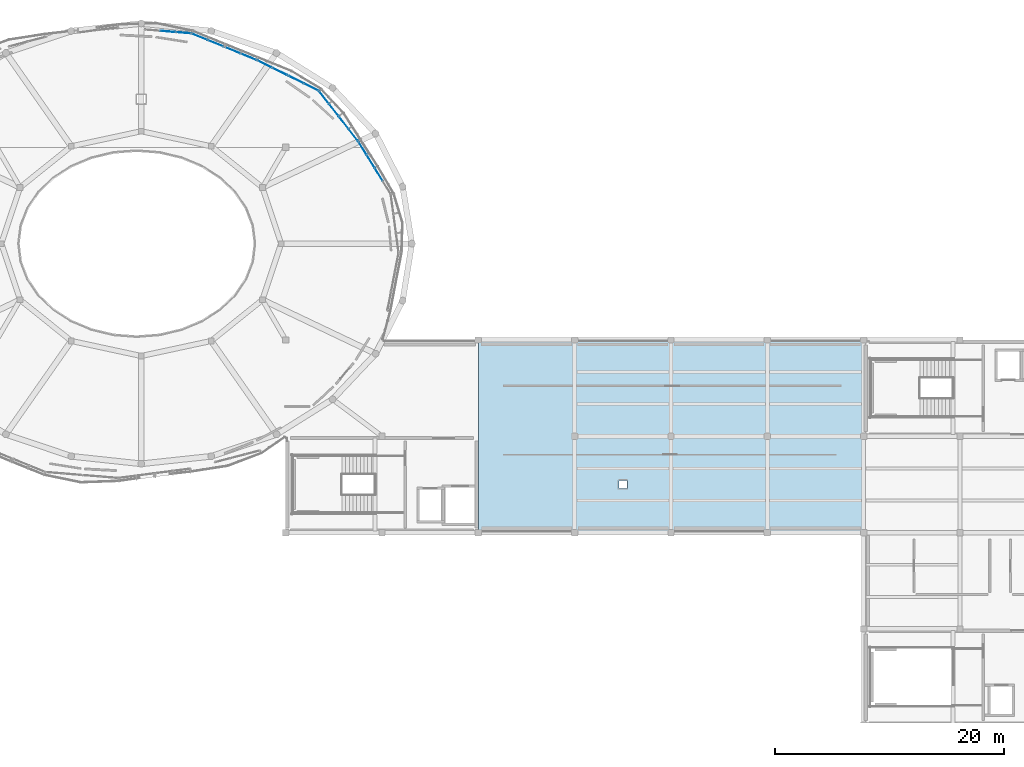
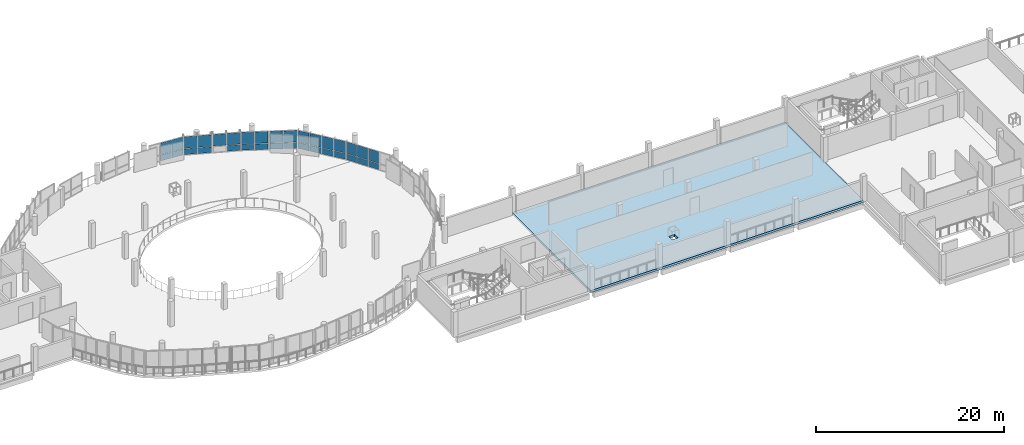
# One storey, part 29 of 43: 33 plates, 1 slab, 7 elements without a shape of their own.
"""IFC4 building model written with IfcOpenShell, lengths in metres."""

from ifc_helpers import new_model, si_unit, derived_unit, direction, frame, origin, origin_2d, place, context, subcontext, project, spatial, polyline, rectangle, outline, extrude, material, layer, layer_set, type_object, element, aggregate, save


model = new_model("IFC4")

# Units and contexts
model_context = context("Model", 3, precision=1e-05, world=origin(), true_north=direction((0.0, 1.0)))
body_context = subcontext(model_context, "Body", "Model", "MODEL_VIEW")
ifc_project = project(units=[si_unit("LENGTHUNIT", "METRE"), si_unit("AREAUNIT", "SQUARE_METRE"), si_unit("VOLUMEUNIT", "CUBIC_METRE"), si_unit("PLANEANGLEUNIT", "RADIAN"), si_unit("MASSUNIT", "GRAM", prefix="KILO"), derived_unit("THERMALTRANSMITTANCEUNIT", [(si_unit("POWERUNIT", "WATT"), 1), (si_unit("LENGTHUNIT", "METRE"), -2), (si_unit("THERMODYNAMICTEMPERATUREUNIT", "KELVIN"), -1)])], contexts=[model_context])

# Site, building, storey
site_placement = place(None, origin())
site = spatial("IfcSite", under=ifc_project, at=site_placement, CompositionType="ELEMENT")
building_placement = place(site_placement, origin())
building = spatial("IfcBuilding", under=site, at=building_placement, Name="Elbkamm Science Centre", CompositionType="ELEMENT")
storey_placement = place(building_placement, frame((0.0, 0.0, 18.300048828125)))
storey = spatial("IfcBuildingStorey", under=building, at=storey_placement, Name="L04", CompositionType="ELEMENT", Elevation=18.300048828125)

# Curtain wall, plates
ifc_material_1 = material(Name="Powder-coated aluminium and triple low-E glazing", Category="aluminium")
ifc_layer_1 = layer(ifc_material_1, 0.159912109375)
ifc_layer_set_1 = layer_set([ifc_layer_1], Name="Powder-coated aluminium and triple low-E glazing")
curtain_wall_type_1 = type_object("IfcCurtainWallType", Name="CW-UNIT-5360x2460", PredefinedType="USERDEFINED", material=ifc_layer_set_1)
curtain_wall_1_placement = place(storey_placement, origin())
curtain_wall_1 = element("IfcCurtainWall", 1, at=curtain_wall_1_placement, inside=storey, type_object=curtain_wall_type_1, Name="L04 Unitised Curtain Wall 076", ObjectType="UNITISED CURTAIN WALL", PredefinedType="USERDEFINED")
ifc_material_2 = material(Name="Triple solar-control insulated safety glass", Category="glass")
ifc_layer_2 = layer(ifc_material_2, 0.031982421875)
ifc_layer_set_2 = layer_set([ifc_layer_2], Name="Triple solar-control insulated safety glass")
plate_type = type_object("IfcPlateType", Name="CW-PNL-32", PredefinedType="CURTAIN_PANEL", material=ifc_layer_set_2)
plate_1_placement = place(storey_placement, frame((83.707275390625, 73.23828125, 0.06005859375), z_axis=(0.0, 0.0, 1.0), x_axis=(-0.524926723085, 0.85114742283, 0.0)))
plate_1 = element("IfcPlate", 2, at=plate_1_placement, type_object=plate_type, Name="CW-033 panel 2.1", PredefinedType="CURTAIN_PANEL", context=body_context, shape_type="SweptSolid", body=[
    extrude(rectangle(XDim=1.28173828125, YDim=0.031982421875, at=origin_2d()), origin(), (0.0, 0.0, 1.0), 0.760009765625),
])
plate_2_placement = place(storey_placement, frame((83.707275390625, 73.23828125, 0.8798828125), z_axis=(0.0, 0.0, 1.0), x_axis=(-0.524926723085, 0.85114742283, 0.0)))
plate_2 = element("IfcPlate", 3, at=plate_2_placement, type_object=plate_type, Name="CW-033 panel 2.2", PredefinedType="CURTAIN_PANEL", context=body_context, shape_type="SweptSolid", body=[
    extrude(rectangle(XDim=1.28173828125, YDim=0.031982421875, at=origin_2d()), origin(), (0.0, 0.0, 1.0), 1.510009765625),
])
plate_3_placement = place(storey_placement, frame((83.0029296875, 74.38037109375, 0.06005859375), z_axis=(0.0, 0.0, 1.0), x_axis=(-0.524926723085, 0.85114742283, 0.0)))
plate_3 = element("IfcPlate", 4, at=plate_3_placement, type_object=plate_type, Name="CW-033 panel 3.1", PredefinedType="CURTAIN_PANEL", context=body_context, shape_type="SweptSolid", body=[
    extrude(rectangle(XDim=1.28173828125, YDim=0.031982421875, at=origin_2d()), origin(), (0.0, 0.0, 1.0), 0.760009765625),
])
plate_4_placement = place(storey_placement, frame((83.0029296875, 74.38037109375, 0.8798828125), z_axis=(0.0, 0.0, 1.0), x_axis=(-0.524926723085, 0.85114742283, 0.0)))
plate_4 = element("IfcPlate", 5, at=plate_4_placement, type_object=plate_type, Name="CW-033 panel 3.2", PredefinedType="CURTAIN_PANEL", context=body_context, shape_type="SweptSolid", body=[
    extrude(rectangle(XDim=1.28173828125, YDim=0.031982421875, at=origin_2d()), origin(), (0.0, 0.0, 1.0), 1.510009765625),
])
plate_5_placement = place(storey_placement, frame((82.306396484375, 75.509521484375, 0.06005859375), z_axis=(0.0, 0.0, 1.0), x_axis=(-0.524926723085, 0.85114742283, 0.0)))
plate_5 = element("IfcPlate", 6, at=plate_5_placement, type_object=plate_type, Name="CW-033 panel 4.1", PredefinedType="CURTAIN_PANEL", context=body_context, shape_type="SweptSolid", body=[
    extrude(rectangle(XDim=1.251708984375, YDim=0.031982421875, at=origin_2d()), origin(), (0.0, 0.0, 1.0), 0.760009765625),
])
plate_6_placement = place(storey_placement, frame((82.306396484375, 75.509521484375, 0.8798828125), z_axis=(0.0, 0.0, 1.0), x_axis=(-0.524926723085, 0.85114742283, 0.0)))
plate_6 = element("IfcPlate", 7, at=plate_6_placement, type_object=plate_type, Name="CW-033 panel 4.2", PredefinedType="CURTAIN_PANEL", context=body_context, shape_type="SweptSolid", body=[
    extrude(rectangle(XDim=1.251708984375, YDim=0.031982421875, at=origin_2d()), origin(), (0.0, 0.0, 1.0), 1.510009765625),
])
aggregate(curtain_wall_1, [plate_1, plate_2, plate_3, plate_4, plate_5, plate_6])

ifc_layer_3 = layer(ifc_material_1, 0.159912109375)
ifc_layer_set_3 = layer_set([ifc_layer_3], Name="Powder-coated aluminium and triple low-E glazing")
curtain_wall_type_2 = type_object("IfcCurtainWallType", Name="CW-UNIT-5600x2460", PredefinedType="USERDEFINED", material=ifc_layer_set_3)
curtain_wall_2_placement = place(storey_placement, origin())
curtain_wall_2 = element("IfcCurtainWall", 8, at=curtain_wall_2_placement, inside=storey, type_object=curtain_wall_type_2, Name="L04 Unitised Curtain Wall 077", ObjectType="UNITISED CURTAIN WALL", PredefinedType="USERDEFINED")
plate_7_placement = place(storey_placement, frame((81.5068359375, 76.6572265625, 0.06005859375), z_axis=(0.0, 0.0, 1.0), x_axis=(-0.614805707522, 0.788678605009, 0.0)))
plate_7 = element("IfcPlate", 9, at=plate_7_placement, type_object=plate_type, Name="CW-034 panel 1.1", PredefinedType="CURTAIN_PANEL", context=body_context, shape_type="SweptSolid", body=[
    extrude(rectangle(XDim=1.309814453125, YDim=0.031982421875, at=origin_2d()), origin(), (0.0, 0.0, 1.0), 0.760009765625),
])
plate_8_placement = place(storey_placement, frame((81.5068359375, 76.6572265625, 0.8798828125), z_axis=(0.0, 0.0, 1.0), x_axis=(-0.614805707522, 0.788678605009, 0.0)))
plate_8 = element("IfcPlate", 10, at=plate_8_placement, type_object=plate_type, Name="CW-034 panel 1.2", PredefinedType="CURTAIN_PANEL", context=body_context, shape_type="SweptSolid", body=[
    extrude(rectangle(XDim=1.309814453125, YDim=0.031982421875, at=origin_2d()), origin(), (0.0, 0.0, 1.0), 1.510009765625),
])
plate_9_placement = place(storey_placement, frame((80.6552734375, 77.74951171875, 0.06005859375), z_axis=(0.0, 0.0, 1.0), x_axis=(-0.614805707522, 0.788678605009, 0.0)))
plate_9 = element("IfcPlate", 11, at=plate_9_placement, type_object=plate_type, Name="CW-034 panel 2.1", PredefinedType="CURTAIN_PANEL", context=body_context, shape_type="SweptSolid", body=[
    extrude(rectangle(XDim=1.33984375, YDim=0.031982421875, at=origin_2d()), origin(), (0.0, 0.0, 1.0), 0.760009765625),
])
plate_10_placement = place(storey_placement, frame((80.6552734375, 77.74951171875, 0.8798828125), z_axis=(0.0, 0.0, 1.0), x_axis=(-0.614805707522, 0.788678605009, 0.0)))
plate_10 = element("IfcPlate", 12, at=plate_10_placement, type_object=plate_type, Name="CW-034 panel 2.2", PredefinedType="CURTAIN_PANEL", context=body_context, shape_type="SweptSolid", body=[
    extrude(rectangle(XDim=1.33984375, YDim=0.031982421875, at=origin_2d()), origin(), (0.0, 0.0, 1.0), 1.510009765625),
])
plate_11_placement = place(storey_placement, frame((79.794677734375, 78.853515625, 0.06005859375), z_axis=(0.0, 0.0, 1.0), x_axis=(-0.614805707522, 0.788678605009, 0.0)))
plate_11 = element("IfcPlate", 13, at=plate_11_placement, type_object=plate_type, Name="CW-034 panel 3.1", PredefinedType="CURTAIN_PANEL", context=body_context, shape_type="SweptSolid", body=[
    extrude(rectangle(XDim=1.33984375, YDim=0.031982421875, at=origin_2d()), origin(), (0.0, 0.0, 1.0), 0.760009765625),
])
plate_12_placement = place(storey_placement, frame((79.794677734375, 78.853515625, 0.8798828125), z_axis=(0.0, 0.0, 1.0), x_axis=(-0.614805707522, 0.788678605009, 0.0)))
plate_12 = element("IfcPlate", 14, at=plate_12_placement, type_object=plate_type, Name="CW-034 panel 3.2", PredefinedType="CURTAIN_PANEL", context=body_context, shape_type="SweptSolid", body=[
    extrude(rectangle(XDim=1.33984375, YDim=0.031982421875, at=origin_2d()), origin(), (0.0, 0.0, 1.0), 1.510009765625),
])
plate_13_placement = place(storey_placement, frame((78.943359375, 79.94580078125, 0.06005859375), z_axis=(0.0, 0.0, 1.0), x_axis=(-0.614805707522, 0.788678605009, 0.0)))
plate_13 = element("IfcPlate", 15, at=plate_13_placement, type_object=plate_type, Name="CW-034 panel 4.1", PredefinedType="CURTAIN_PANEL", context=body_context, shape_type="SweptSolid", body=[
    extrude(rectangle(XDim=1.309814453125, YDim=0.031982421875, at=origin_2d()), origin(), (0.0, 0.0, 1.0), 0.760009765625),
])
plate_14_placement = place(storey_placement, frame((78.943359375, 79.94580078125, 0.8798828125), z_axis=(0.0, 0.0, 1.0), x_axis=(-0.614805707522, 0.788678605009, 0.0)))
plate_14 = element("IfcPlate", 16, at=plate_14_placement, type_object=plate_type, Name="CW-034 panel 4.2", PredefinedType="CURTAIN_PANEL", context=body_context, shape_type="SweptSolid", body=[
    extrude(rectangle(XDim=1.309814453125, YDim=0.031982421875, at=origin_2d()), origin(), (0.0, 0.0, 1.0), 1.510009765625),
])
aggregate(curtain_wall_2, [plate_7, plate_8, plate_9, plate_10, plate_11, plate_12, plate_13, plate_14])

ifc_layer_4 = layer(ifc_material_1, 0.159912109375)
ifc_layer_set_4 = layer_set([ifc_layer_4], Name="Powder-coated aluminium and triple low-E glazing")
curtain_wall_type_3 = type_object("IfcCurtainWallType", Name="CW-UNIT-2980x2460", PredefinedType="USERDEFINED", material=ifc_layer_set_4)
curtain_wall_3_placement = place(storey_placement, origin())
curtain_wall_3 = element("IfcCurtainWall", 17, at=curtain_wall_3_placement, inside=storey, type_object=curtain_wall_type_3, Name="L04 Unitised Curtain Wall 078", ObjectType="UNITISED CURTAIN WALL", PredefinedType="USERDEFINED")
plate_15_placement = place(storey_placement, frame((77.822998046875, 80.8466796875, 0.06005859375), z_axis=(0.0, 0.0, 1.0), x_axis=(-0.896106095888, 0.443839909102, 0.0)))
plate_15 = element("IfcPlate", 18, at=plate_15_placement, type_object=plate_type, Name="CW-035 panel 1.1", PredefinedType="CURTAIN_PANEL", context=body_context, shape_type="SweptSolid", body=[
    extrude(rectangle(XDim=1.3994140625, YDim=0.031982421875, at=origin_2d()), origin(), (0.0, 0.0, 1.0), 0.760009765625),
])
plate_16_placement = place(storey_placement, frame((77.822998046875, 80.8466796875, 0.8798828125), z_axis=(0.0, 0.0, 1.0), x_axis=(-0.896106095888, 0.443839909102, 0.0)))
plate_16 = element("IfcPlate", 19, at=plate_16_placement, type_object=plate_type, Name="CW-035 panel 1.2", PredefinedType="CURTAIN_PANEL", context=body_context, shape_type="SweptSolid", body=[
    extrude(rectangle(XDim=1.3994140625, YDim=0.031982421875, at=origin_2d()), origin(), (0.0, 0.0, 1.0), 1.510009765625),
])
plate_17_placement = place(storey_placement, frame((76.51513671875, 81.49462890625, 0.06005859375), z_axis=(0.0, 0.0, 1.0), x_axis=(-0.896106095888, 0.443839909102, 0.0)))
plate_17 = element("IfcPlate", 20, at=plate_17_placement, type_object=plate_type, Name="CW-035 panel 2.1", PredefinedType="CURTAIN_PANEL", context=body_context, shape_type="SweptSolid", body=[
    extrude(rectangle(XDim=1.3994140625, YDim=0.031982421875, at=origin_2d()), origin(), (0.0, 0.0, 1.0), 0.760009765625),
])
plate_18_placement = place(storey_placement, frame((76.51513671875, 81.49462890625, 0.8798828125), z_axis=(0.0, 0.0, 1.0), x_axis=(-0.896106095888, 0.443839909102, 0.0)))
plate_18 = element("IfcPlate", 21, at=plate_18_placement, type_object=plate_type, Name="CW-035 panel 2.2", PredefinedType="CURTAIN_PANEL", context=body_context, shape_type="SweptSolid", body=[
    extrude(rectangle(XDim=1.3994140625, YDim=0.031982421875, at=origin_2d()), origin(), (0.0, 0.0, 1.0), 1.510009765625),
])
aggregate(curtain_wall_3, [plate_15, plate_16, plate_17, plate_18])

curtain_wall_4_placement = place(storey_placement, origin())
curtain_wall_4 = element("IfcCurtainWall", 22, at=curtain_wall_4_placement, inside=storey, type_object=curtain_wall_type_3, Name="L04 Unitised Curtain Wall 079", ObjectType="UNITISED CURTAIN WALL", PredefinedType="USERDEFINED")
plate_19_placement = place(storey_placement, frame((75.08203125, 82.20458984375, 0.06005859375), z_axis=(0.0, 0.0, 1.0), x_axis=(-0.896106095888, 0.443839909102, 0.0)))
plate_19 = element("IfcPlate", 23, at=plate_19_placement, type_object=plate_type, Name="CW-035 panel 1.1", PredefinedType="CURTAIN_PANEL", context=body_context, shape_type="SweptSolid", body=[
    extrude(rectangle(XDim=1.3994140625, YDim=0.031982421875, at=origin_2d()), origin(), (0.0, 0.0, 1.0), 0.760009765625),
])
plate_20_placement = place(storey_placement, frame((75.08203125, 82.20458984375, 0.8798828125), z_axis=(0.0, 0.0, 1.0), x_axis=(-0.896106095888, 0.443839909102, 0.0)))
plate_20 = element("IfcPlate", 24, at=plate_20_placement, type_object=plate_type, Name="CW-035 panel 1.2", PredefinedType="CURTAIN_PANEL", context=body_context, shape_type="SweptSolid", body=[
    extrude(rectangle(XDim=1.3994140625, YDim=0.031982421875, at=origin_2d()), origin(), (0.0, 0.0, 1.0), 1.510009765625),
])
plate_21_placement = place(storey_placement, frame((73.774169921875, 82.852294921875, 0.06005859375), z_axis=(0.0, 0.0, 1.0), x_axis=(-0.896106095888, 0.443839909102, 0.0)))
plate_21 = element("IfcPlate", 25, at=plate_21_placement, type_object=plate_type, Name="CW-035 panel 2.1", PredefinedType="CURTAIN_PANEL", context=body_context, shape_type="SweptSolid", body=[
    extrude(rectangle(XDim=1.3994140625, YDim=0.031982421875, at=origin_2d()), origin(), (0.0, 0.0, 1.0), 0.760009765625),
])
plate_22_placement = place(storey_placement, frame((73.774169921875, 82.852294921875, 0.8798828125), z_axis=(0.0, 0.0, 1.0), x_axis=(-0.896106095888, 0.443839909102, 0.0)))
plate_22 = element("IfcPlate", 26, at=plate_22_placement, type_object=plate_type, Name="CW-035 panel 2.2", PredefinedType="CURTAIN_PANEL", context=body_context, shape_type="SweptSolid", body=[
    extrude(rectangle(XDim=1.3994140625, YDim=0.031982421875, at=origin_2d()), origin(), (0.0, 0.0, 1.0), 1.510009765625),
])
aggregate(curtain_wall_4, [plate_19, plate_20, plate_21, plate_22])

ifc_layer_5 = layer(ifc_material_1, 0.159912109375)
ifc_layer_set_5 = layer_set([ifc_layer_5], Name="Powder-coated aluminium and triple low-E glazing")
curtain_wall_type_4 = type_object("IfcCurtainWallType", Name="CW-UNIT-3060x2460", PredefinedType="USERDEFINED", material=ifc_layer_set_5)
curtain_wall_5_placement = place(storey_placement, origin())
curtain_wall_5 = element("IfcCurtainWall", 27, at=curtain_wall_5_placement, inside=storey, type_object=curtain_wall_type_4, Name="L04 Unitised Curtain Wall 080", ObjectType="UNITISED CURTAIN WALL", PredefinedType="USERDEFINED")
plate_23_placement = place(storey_placement, frame((72.373046875, 83.4833984375, 0.06005859375), z_axis=(0.0, 0.0, 1.0), x_axis=(-0.925805063176, 0.378001302905, 0.0)))
plate_23 = element("IfcPlate", 28, at=plate_23_placement, type_object=plate_type, Name="CW-036 panel 1.1", PredefinedType="CURTAIN_PANEL", context=body_context, shape_type="SweptSolid", body=[
    extrude(rectangle(XDim=1.436279296875, YDim=0.031982421875, at=origin_2d()), origin(), (0.0, 0.0, 1.0), 0.760009765625),
])
plate_24_placement = place(storey_placement, frame((72.373046875, 83.4833984375, 0.8798828125), z_axis=(0.0, 0.0, 1.0), x_axis=(-0.925805063176, 0.378001302905, 0.0)))
plate_24 = element("IfcPlate", 29, at=plate_24_placement, type_object=plate_type, Name="CW-036 panel 1.2", PredefinedType="CURTAIN_PANEL", context=body_context, shape_type="SweptSolid", body=[
    extrude(rectangle(XDim=1.436279296875, YDim=0.031982421875, at=origin_2d()), origin(), (0.0, 0.0, 1.0), 1.510009765625),
])
plate_25_placement = place(storey_placement, frame((70.98779296875, 84.049072265625, 0.8798828125), z_axis=(0.0, 0.0, 1.0), x_axis=(-0.925805063176, 0.378001302905, 0.0)))
plate_25 = element("IfcPlate", 30, at=plate_25_placement, type_object=plate_type, Name="CW-036 panel 2.2", PredefinedType="CURTAIN_PANEL", context=body_context, shape_type="SweptSolid", body=[
    extrude(rectangle(XDim=1.436279296875, YDim=0.031982421875, at=origin_2d()), origin(), (0.0, 0.0, 1.0), 1.510009765625),
])
aggregate(curtain_wall_5, [plate_23, plate_24, plate_25])

curtain_wall_6_placement = place(storey_placement, origin())
curtain_wall_6 = element("IfcCurtainWall", 31, at=curtain_wall_6_placement, inside=storey, type_object=curtain_wall_type_4, Name="L04 Unitised Curtain Wall 081", ObjectType="UNITISED CURTAIN WALL", PredefinedType="USERDEFINED")
plate_26_placement = place(storey_placement, frame((69.47314453125, 84.667724609375, 0.06005859375), z_axis=(0.0, 0.0, 1.0), x_axis=(-0.925805063176, 0.378001302905, 0.0)))
plate_26 = element("IfcPlate", 32, at=plate_26_placement, type_object=plate_type, Name="CW-036 panel 1.1", PredefinedType="CURTAIN_PANEL", context=body_context, shape_type="SweptSolid", body=[
    extrude(rectangle(XDim=1.436279296875, YDim=0.031982421875, at=origin_2d()), origin(), (0.0, 0.0, 1.0), 0.760009765625),
])
plate_27_placement = place(storey_placement, frame((69.47314453125, 84.667724609375, 0.8798828125), z_axis=(0.0, 0.0, 1.0), x_axis=(-0.925805063176, 0.378001302905, 0.0)))
plate_27 = element("IfcPlate", 33, at=plate_27_placement, type_object=plate_type, Name="CW-036 panel 1.2", PredefinedType="CURTAIN_PANEL", context=body_context, shape_type="SweptSolid", body=[
    extrude(rectangle(XDim=1.436279296875, YDim=0.031982421875, at=origin_2d()), origin(), (0.0, 0.0, 1.0), 1.510009765625),
])
plate_28_placement = place(storey_placement, frame((68.087890625, 85.233154296875, 0.06005859375), z_axis=(0.0, 0.0, 1.0), x_axis=(-0.925805063176, 0.378001302905, 0.0)))
plate_28 = element("IfcPlate", 34, at=plate_28_placement, type_object=plate_type, Name="CW-036 panel 2.1", PredefinedType="CURTAIN_PANEL", context=body_context, shape_type="SweptSolid", body=[
    extrude(rectangle(XDim=1.436279296875, YDim=0.031982421875, at=origin_2d()), origin(), (0.0, 0.0, 1.0), 0.760009765625),
])
plate_29_placement = place(storey_placement, frame((68.087890625, 85.233154296875, 0.8798828125), z_axis=(0.0, 0.0, 1.0), x_axis=(-0.925805063176, 0.378001302905, 0.0)))
plate_29 = element("IfcPlate", 35, at=plate_29_placement, type_object=plate_type, Name="CW-036 panel 2.2", PredefinedType="CURTAIN_PANEL", context=body_context, shape_type="SweptSolid", body=[
    extrude(rectangle(XDim=1.436279296875, YDim=0.031982421875, at=origin_2d()), origin(), (0.0, 0.0, 1.0), 1.510009765625),
])
aggregate(curtain_wall_6, [plate_26, plate_27, plate_28, plate_29])

ifc_layer_6 = layer(ifc_material_1, 0.159912109375)
ifc_layer_set_6 = layer_set([ifc_layer_6], Name="Powder-coated aluminium and triple low-E glazing")
curtain_wall_type_5 = type_object("IfcCurtainWallType", Name="CW-UNIT-4080x2460", PredefinedType="USERDEFINED", material=ifc_layer_set_6)
curtain_wall_7_placement = place(storey_placement, origin())
curtain_wall_7 = element("IfcCurtainWall", 36, at=curtain_wall_7_placement, inside=storey, type_object=curtain_wall_type_5, Name="L04 Unitised Curtain Wall 082", ObjectType="UNITISED CURTAIN WALL", PredefinedType="USERDEFINED")
plate_30_placement = place(storey_placement, frame((66.6748046875, 85.584228515625, 0.06005859375), z_axis=(0.0, 0.0, 1.0), x_axis=(-0.996648257445, 0.081806179051, 0.0)))
plate_30 = element("IfcPlate", 37, at=plate_30_placement, type_object=plate_type, Name="CW-037 panel 1.1", PredefinedType="CURTAIN_PANEL", context=body_context, shape_type="SweptSolid", body=[
    extrude(rectangle(XDim=1.27001953125, YDim=0.031982421875, at=origin_2d()), origin(), (0.0, 0.0, 1.0), 0.760009765625),
])
plate_31_placement = place(storey_placement, frame((66.6748046875, 85.584228515625, 0.8798828125), z_axis=(0.0, 0.0, 1.0), x_axis=(-0.996648257445, 0.081806179051, 0.0)))
plate_31 = element("IfcPlate", 38, at=plate_31_placement, type_object=plate_type, Name="CW-037 panel 1.2", PredefinedType="CURTAIN_PANEL", context=body_context, shape_type="SweptSolid", body=[
    extrude(rectangle(XDim=1.27001953125, YDim=0.031982421875, at=origin_2d()), origin(), (0.0, 0.0, 1.0), 1.510009765625),
])
plate_32_placement = place(storey_placement, frame((65.334228515625, 85.694091796875, 0.06005859375), z_axis=(0.0, 0.0, 1.0), x_axis=(-0.996648257445, 0.081806179051, 0.0)))
plate_32 = element("IfcPlate", 39, at=plate_32_placement, type_object=plate_type, Name="CW-037 panel 2.1", PredefinedType="CURTAIN_PANEL", context=body_context, shape_type="SweptSolid", body=[
    extrude(rectangle(XDim=1.300048828125, YDim=0.031982421875, at=origin_2d()), origin(), (0.0, 0.0, 1.0), 0.760009765625),
])
plate_33_placement = place(storey_placement, frame((65.334228515625, 85.694091796875, 0.8798828125), z_axis=(0.0, 0.0, 1.0), x_axis=(-0.996648257445, 0.081806179051, 0.0)))
plate_33 = element("IfcPlate", 40, at=plate_33_placement, type_object=plate_type, Name="CW-037 panel 2.2", PredefinedType="CURTAIN_PANEL", context=body_context, shape_type="SweptSolid", body=[
    extrude(rectangle(XDim=1.300048828125, YDim=0.031982421875, at=origin_2d()), origin(), (0.0, 0.0, 1.0), 1.510009765625),
])
aggregate(curtain_wall_7, [plate_30, plate_31, plate_32, plate_33])

# Slab
ifc_material_3 = material(Name="Reinforced concrete C40/50", Category="concrete")
ifc_layer_7 = layer(ifc_material_3, 0.280029296875)
ifc_layer_set_7 = layer_set([ifc_layer_7], Name="Reinforced concrete C40/50")
slab_type = type_object("IfcSlabType", Name="SLAB-FLR-280", PredefinedType="FLOOR", material=ifc_layer_set_7)
slab_placement = place(storey_placement, frame((0.0, 0.0, -0.280029296875)))
element("IfcSlab", 41, at=slab_placement, inside=storey, type_object=slab_type, Name="L04 Structural Slab MM-04", PredefinedType="FLOOR", context=body_context, shape_type="SweptSolid", body=[
    extrude(outline(polyline([(125.97509765625, 42.0), (92.39990234375, 42.0), (92.39990234375, 58.800048828125), (125.97509765625, 58.800048828125), (125.97509765625, 42.0)]), holes=[polyline([(105.35009765625, 46.550048828125), (104.64990234375, 46.550048828125), (104.64990234375, 45.85009765625), (105.35009765625, 45.85009765625), (105.35009765625, 46.550048828125)])]), origin(), (0.0, 0.0, 1.0), 0.280029296875),
])

save(model, "model.ifc")
